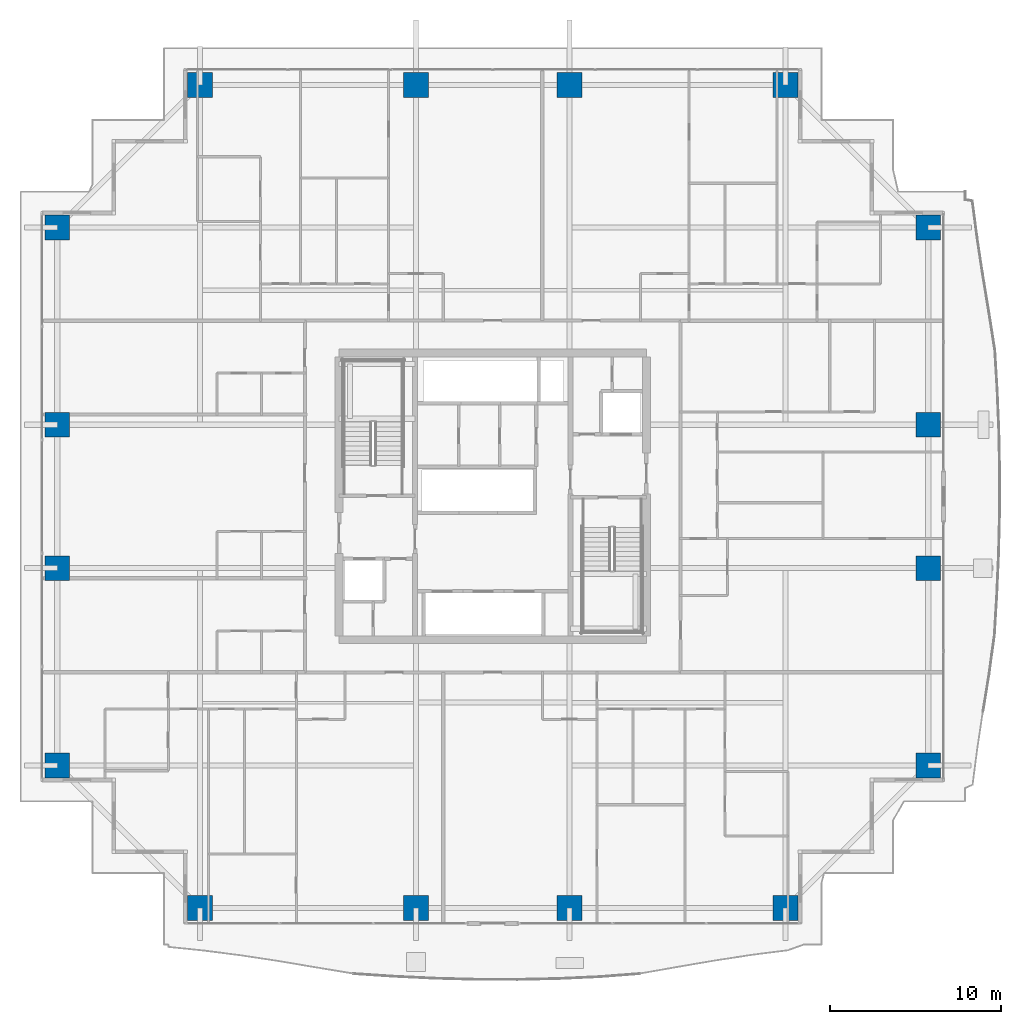
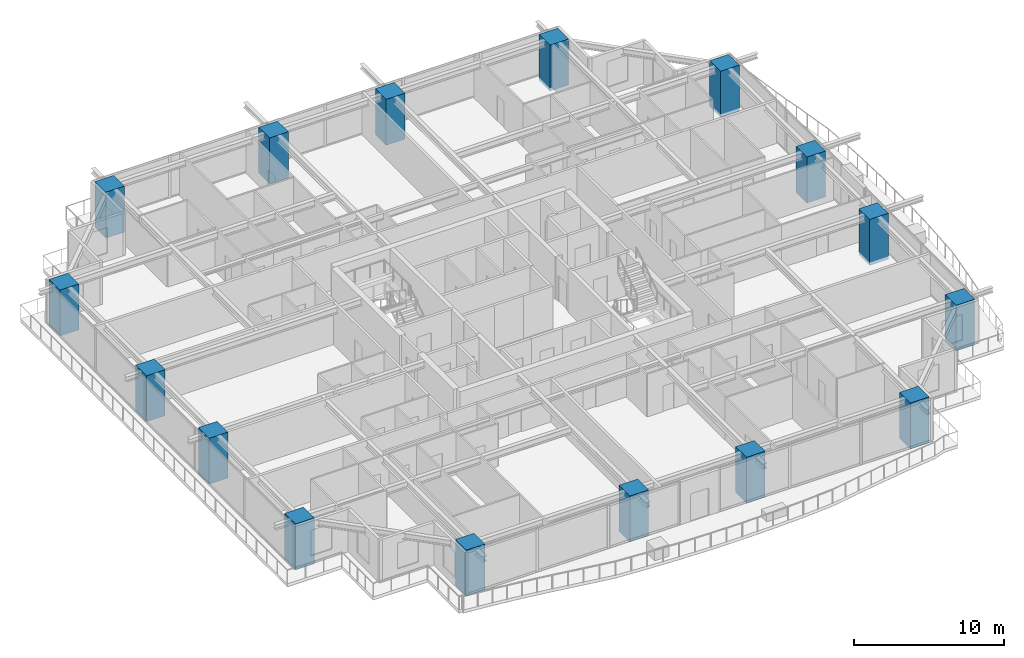
# One storey, part 1 of 39: 16 columns.
"""IFC4 building model written with IfcOpenShell, lengths in metres."""

from ifc_helpers import new_model, si_unit, direction, frame, origin, origin_2d, place, context, subcontext, project, spatial, rectangle, extrude, source, transform, mapped, material, material_profile, profile_set, type_object, element, save


model = new_model("IFC4")

# Units and contexts
model_context = context("Model", 3, precision=1e-05, world=origin(), true_north=direction((0.0, 1.0)))
body_context = subcontext(model_context, "Body", "Model", "MODEL_VIEW")
ifc_project = project(units=[si_unit("LENGTHUNIT", "METRE"), si_unit("AREAUNIT", "SQUARE_METRE"), si_unit("VOLUMEUNIT", "CUBIC_METRE"), si_unit("PLANEANGLEUNIT", "RADIAN"), si_unit("MASSUNIT", "GRAM", prefix="KILO")], contexts=[model_context])

# Site, building, storey
site_placement = place(None, origin())
site = spatial("IfcSite", under=ifc_project, at=site_placement, CompositionType="ELEMENT")
building_placement = place(site_placement, origin())
building = spatial("IfcBuilding", under=site, at=building_placement, Name="Serunith Strait Residences", CompositionType="ELEMENT")
storey_placement = place(building_placement, frame((0.0, 0.0, 79.199951171875)))
storey = spatial("IfcBuildingStorey", under=building, at=storey_placement, Name="L19", CompositionType="ELEMENT", Elevation=79.199951171875)

# Columns
ifc_material = material(Name="Concrete C90/105", Category="concrete")
ifc_material_profile = material_profile(ifc_material, rectangle(XDim=1.449951171875, YDim=1.449951171875, at=origin_2d()), Name="RC 1450x1450")
ifc_profile_set = profile_set([ifc_material_profile], Name="Concrete C90/105")
column_type = type_object("IfcColumnType", Name="COL-RC-1450", PredefinedType="COLUMN", material=ifc_profile_set)
shared_shape = source(origin(), body_context, "Body", "SweptSolid", [
    extrude(rectangle(XDim=1.449951171875, YDim=1.449951171875, at=origin_2d()), origin(), (0.0, 0.0, 1.0), 3.75),
])
for number, where, z_axis, x_axis, name in (
    (1, (15.25, 1.10009765625, -0.260009765625), (0.0, 0.0, 1.0), (1.0, 0.0, 0.0), "L19 Tower Mega-Column TC-S1"),
    (2, (27.89990234375, 1.10009765625, -0.260009765625), (0.0, 0.0, 1.0), (1.0, 0.0, 0.0), "L19 Tower Mega-Column TC-S2"),
    (3, (36.89990234375, 1.10009765625, -0.260009765625), (0.0, 0.0, 1.0), (1.0, 0.0, 0.0), "L19 Tower Mega-Column TC-S3"),
    (4, (49.550048828125, 1.10009765625, -0.260009765625), (0.0, 0.0, 1.0), (1.0, 0.0, 0.0), "L19 Tower Mega-Column TC-S4"),
    (5, (15.25, 49.300048828125, -0.260009765625), (0.0, 0.0, 1.0), (1.0, 0.0, 0.0), "L19 Tower Mega-Column TC-N1"),
    (6, (27.89990234375, 49.300048828125, -0.260009765625), (0.0, 0.0, 1.0), (1.0, 0.0, 0.0), "L19 Tower Mega-Column TC-N2"),
    (7, (36.89990234375, 49.300048828125, -0.260009765625), (0.0, 0.0, 1.0), (1.0, 0.0, 0.0), "L19 Tower Mega-Column TC-N3"),
    (8, (49.550048828125, 49.300048828125, -0.260009765625), (0.0, 0.0, 1.0), (1.0, 0.0, 0.0), "L19 Tower Mega-Column TC-N4"),
    (9, (57.89990234375, 9.449951171875, -0.260009765625), (0.0, 0.0, 1.0), (1.0, 0.0, 0.0), "L19 Tower Mega-Column TC-E1"),
    (10, (57.89990234375, 21.0, -0.260009765625), (0.0, 0.0, 1.0), (1.0, 0.0, 0.0), "L19 Tower Mega-Column TC-E2"),
    (11, (57.89990234375, 29.39990234375, -0.260009765625), (0.0, 0.0, 1.0), (1.0, 0.0, 0.0), "L19 Tower Mega-Column TC-E3"),
    (12, (57.89990234375, 40.949951171875, -0.260009765625), (0.0, 0.0, 1.0), (1.0, 0.0, 0.0), "L19 Tower Mega-Column TC-E4"),
    (13, (6.89990234375, 9.449951171875, -0.260009765625), (0.0, 0.0, 1.0), (1.0, 0.0, 0.0), "L19 Tower Mega-Column TC-W1"),
    (14, (6.89990234375, 21.0, -0.260009765625), (0.0, 0.0, 1.0), (1.0, 0.0, 0.0), "L19 Tower Mega-Column TC-W2"),
    (15, (6.89990234375, 29.39990234375, -0.260009765625), (0.0, 0.0, 1.0), (1.0, 0.0, 0.0), "L19 Tower Mega-Column TC-W3"),
    (16, (6.89990234375, 40.949951171875, -0.260009765625), (0.0, 0.0, 1.0), (1.0, 0.0, 0.0), "L19 Tower Mega-Column TC-W4"),
):
    element("IfcColumn", number, at=place(storey_placement, frame(where, z_axis=z_axis, x_axis=x_axis)), inside=storey, type_object=column_type, Name=name, PredefinedType="COLUMN", context=body_context, shape_type="MappedRepresentation", body=[
        mapped(shared_shape, transform((0.0, 0.0, 0.0), scale=1.0)),
    ])

save(model, "model.ifc")
